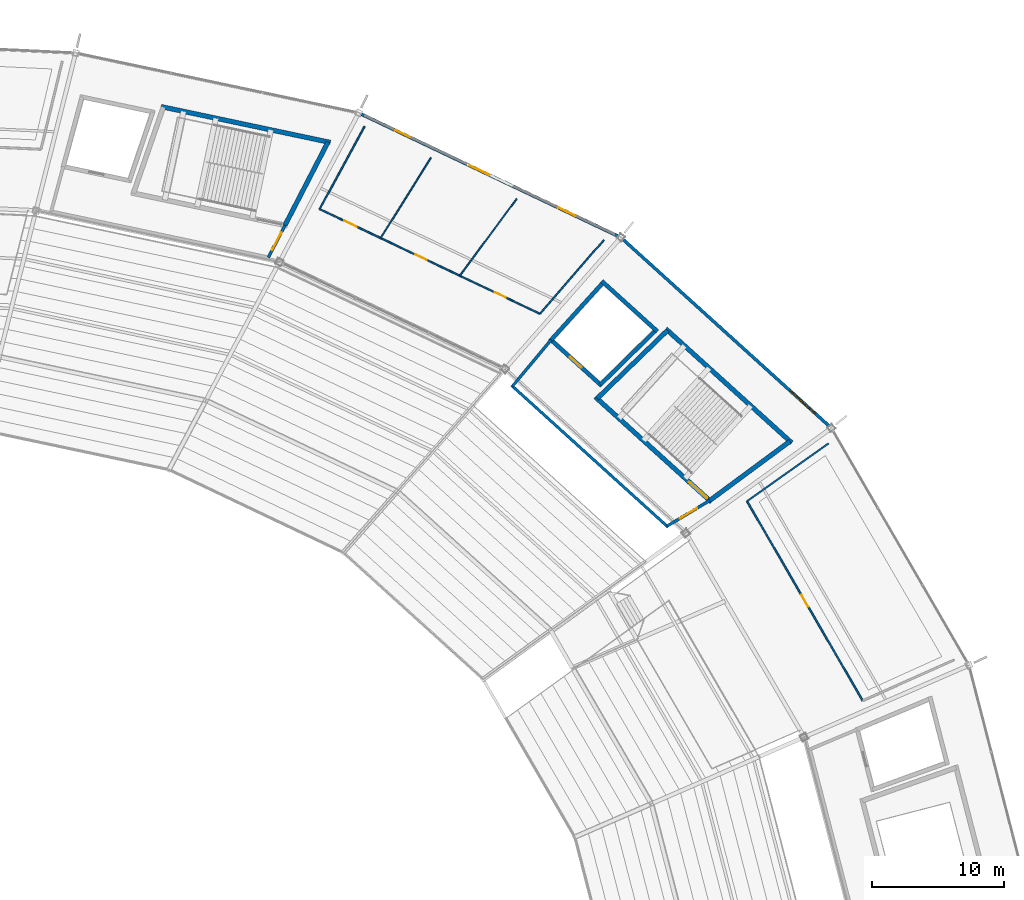
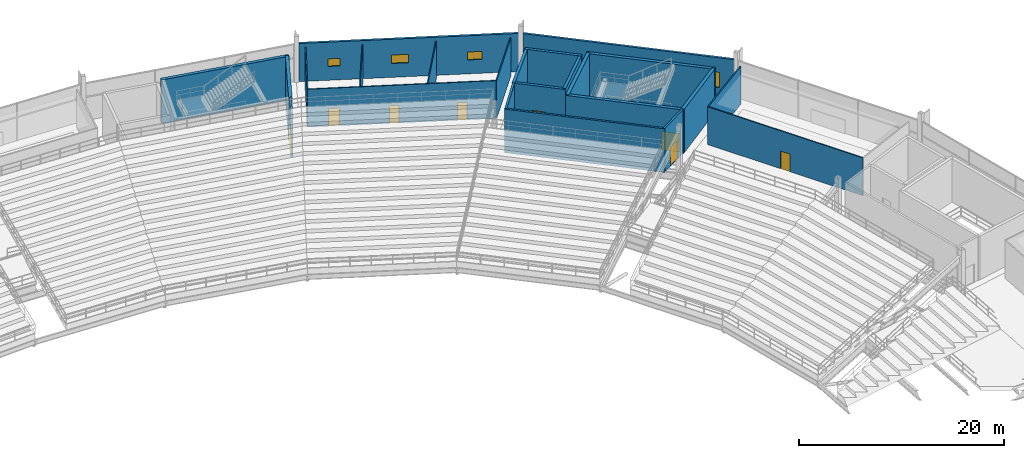
# One storey, part 132 of 186: 23 walls, 8 doors, 4 windows, 12 openings.
"""IFC4 building model written with IfcOpenShell, lengths in metres."""

from ifc_helpers import new_model, si_unit, direction, frame, frame_2d, origin, place, context, subcontext, project, spatial, rectangle, extrude, material, layer, layer_set, type_object, element, fill, save


model = new_model("IFC4")

# Units and contexts
model_context = context("Model", 3, precision=1e-05, world=origin(), true_north=direction((0.0, 1.0)))
body_context = subcontext(model_context, "Body", "Model", "MODEL_VIEW")
ifc_project = project(units=[si_unit("LENGTHUNIT", "METRE"), si_unit("AREAUNIT", "SQUARE_METRE"), si_unit("VOLUMEUNIT", "CUBIC_METRE"), si_unit("PLANEANGLEUNIT", "RADIAN"), si_unit("MASSUNIT", "GRAM", prefix="KILO")], contexts=[model_context])

# Site, building, storey
site_placement = place(None, origin())
site = spatial("IfcSite", under=ifc_project, at=site_placement, CompositionType="ELEMENT")
building_placement = place(site_placement, origin())
building = spatial("IfcBuilding", under=site, at=building_placement, Name="Kazemori Nagisa Stadium", CompositionType="ELEMENT")
storey_placement = place(building_placement, frame((0.0, 0.0, 20.39990234375)))
storey = spatial("IfcBuildingStorey", under=building, at=storey_placement, Name="L04", CompositionType="ELEMENT", Elevation=20.39990234375)

# Wall, opening, door
ifc_material_1 = material(Name="Concrete C40/50 (Fc42)", Category="concrete")
ifc_layer_1 = layer(ifc_material_1, 0.35009765625, Name="Concrete C40/50 (Fc42)", Category="concrete")
ifc_layer_set_1 = layer_set([ifc_layer_1], Name="Concrete C40/50 (Fc42)")
wall_type_1 = type_object("IfcWallType", Name="Wall_W-CORE-350", PredefinedType="SHEAR", material=ifc_layer_set_1)
wall_1_placement = place(storey_placement, frame((192.438720703125, 153.072021484375, 0.0), z_axis=(0.0, 0.0, 1.0), x_axis=(-0.741358227035, 0.671109513572, 0.0)))
wall_1 = element("IfcWall", 1, at=wall_1_placement, inside=storey, type_object=wall_type_1, Name="Core stair front shear wall ST01 L04", PredefinedType="SHEAR", context=body_context, shape_type="SweptSolid", body=[
    extrude(rectangle(XDim=11.82666015625, YDim=0.35009765625, at=frame_2d((5.913330078125, 0.0))), origin(), (0.0, 0.0, 1.0), 5.18017578125),
])
opening_1_placement = place(wall_1_placement, frame((0.47509765625, 0.0, 0.0)))
opening_1 = element("IfcOpeningElement", 2, at=opening_1_placement, cuts=wall_1, Name="Opening D-ST-1800", PredefinedType="OPENING", context=body_context, shape_type="SweptSolid", body=[
    extrude(rectangle(XDim=1.800048828125, YDim=2.199951171875, at=frame_2d((0.89990234375, 1.10009765625))), frame((0.0, 0.18505859375, 0.0), z_axis=(0.0, -1.0, 0.0), x_axis=(1.0, 0.0, 0.0)), (0.0, 0.0, 1.0), 0.3701171875),
])
ifc_material_2 = material(Name="Galvanised steel sheet", Category="steel")
door_type_1 = type_object("IfcDoorType", Name="Door_D-ST-1800", OperationType="NOTDEFINED", PredefinedType="DOOR", material=ifc_material_2)
door_1_placement = place(opening_1_placement, frame((1.800048828125, 0.0, 0.0), z_axis=(0.0, 0.0, 1.0), x_axis=(-1.0, 0.0, 0.0)))
door_1 = element("IfcDoor", 3, at=door_1_placement, inside=storey, type_object=door_type_1, Name="Exit stair fire door ST01-L04", OperationType="SINGLE_SWING_RIGHT", OverallHeight=2.199951171875, OverallWidth=1.800048828125, PredefinedType="DOOR", context=body_context, shape_type="SweptSolid", body=[
    extrude(rectangle(XDim=1.800048828125, YDim=2.199951171875, at=frame_2d((0.89990234375, 1.10009765625))), frame((0.0, 0.02490234375, 0.0), z_axis=(0.0, -1.0, 0.0), x_axis=(1.0, 0.0, 0.0)), (0.0, 0.0, 1.0), 0.050048828125),
])
fill(opening_1, door_1)

# Walls
wall_2_placement = place(storey_placement, frame((198.499267578125, 157.548095703125, 0.0), z_axis=(0.0, 0.0, 1.0), x_axis=(-0.741351373721, 0.671117084183, 0.0)))
element("IfcWall", 4, at=wall_2_placement, inside=storey, type_object=wall_type_1, Name="Core stair rear shear wall ST01 L04", PredefinedType="SHEAR", context=body_context, shape_type="SweptSolid", body=[
    extrude(rectangle(XDim=12.830322265625, YDim=0.35009765625, at=frame_2d((6.4150390625, 0.0))), origin(), (0.0, 0.0, 1.0), 5.18017578125),
])
wall_3_placement = place(storey_placement, frame((192.308837890625, 153.189453125, 0.0), z_axis=(0.0, 0.0, 1.0), x_axis=(0.804395625347, 0.594093997548, 0.0)))
element("IfcWall", 5, at=wall_3_placement, inside=storey, type_object=wall_type_1, Name="Core stair left shear wall ST01 L04", PredefinedType="SHEAR", context=body_context, shape_type="SweptSolid", body=[
    extrude(rectangle(XDim=7.5341796875, YDim=0.35009765625, at=frame_2d((3.76708984375, 0.0))), origin(), (0.0, 0.0, 1.0), 5.18017578125),
])
wall_4_placement = place(storey_placement, frame((183.800537109375, 160.8916015625, 0.0), z_axis=(0.0, 0.0, 1.0), x_axis=(0.718297398554, 0.69573619083, 0.0)))
element("IfcWall", 6, at=wall_4_placement, inside=storey, type_object=wall_type_1, Name="Core stair right shear wall ST01 L04", PredefinedType="SHEAR", context=body_context, shape_type="SweptSolid", body=[
    extrude(rectangle(XDim=7.40185546875, YDim=0.35009765625, at=frame_2d((3.700927734375, 0.0))), origin(), (0.0, 0.0, 1.0), 5.18017578125),
])
wall_5_placement = place(storey_placement, frame((163.655029296875, 180.2333984375, 0.0), z_axis=(0.0, 0.0, 1.0), x_axis=(-0.978345119536, 0.206980257705, 0.0)))
element("IfcWall", 7, at=wall_5_placement, inside=storey, type_object=wall_type_1, Name="Core stair rear shear wall ST11 L04", PredefinedType="SHEAR", context=body_context, shape_type="SweptSolid", body=[
    extrude(rectangle(XDim=13.06689453125, YDim=0.35009765625, at=frame_2d((6.533447265625, 0.0))), origin(), (0.0, 0.0, 1.0), 5.18017578125),
])
wall_6_placement = place(storey_placement, frame((160.228515625, 173.975830078125, 0.0), z_axis=(0.0, 0.0, 1.0), x_axis=(0.459409796564, 0.888224430435, 0.0)))
element("IfcWall", 8, at=wall_6_placement, inside=storey, type_object=wall_type_1, Name="Core stair left shear wall ST11 L04", PredefinedType="SHEAR", context=body_context, shape_type="SweptSolid", body=[
    extrude(rectangle(XDim=7.0859375, YDim=0.35009765625, at=frame_2d((3.54296875, 0.0))), origin(), (0.0, 0.0, 1.0), 5.18017578125),
])

# Wall, opening, window
ifc_material_3 = material(Name="Steel S355 (SN490B)", Category="steel")
ifc_layer_2 = layer(ifc_material_3, 0.239990234375, Name="Steel S355 (SN490B)", Category="steel")
ifc_layer_set_2 = layer_set([ifc_layer_2], Name="Steel S355 (SN490B)")
wall_type_2 = type_object("IfcWallType", Name="Wall_W-EXT-240", PredefinedType="SOLIDWALL", material=ifc_layer_set_2)
wall_7_placement = place(storey_placement, frame((201.332275390625, 158.815185546875, 0.0), z_axis=(0.0, 0.0, 1.0), x_axis=(-0.741349049196, 0.671119651967, 0.0)))
wall_7 = element("IfcWall", 9, at=wall_7_placement, inside=storey, type_object=wall_type_2, Name="Exterior facade wall L04-04", PredefinedType="SOLIDWALL", context=body_context, shape_type="SweptSolid", body=[
    extrude(rectangle(XDim=21.00390625, YDim=0.239990234375, at=frame_2d((10.501953125, 0.0))), origin(), (0.0, 0.0, 1.0), 4.530029296875),
])
opening_2_placement = place(wall_7_placement, frame((1.39990234375, 0.0, 1.0)))
opening_2 = element("IfcOpeningElement", 10, at=opening_2_placement, cuts=wall_7, Name="Opening WIN-L04-2600", PredefinedType="OPENING", context=body_context, shape_type="SweptSolid", body=[
    extrude(rectangle(XDim=2.60009765625, YDim=1.800048828125, at=frame_2d((1.300048828125, 0.89990234375))), frame((0.0, 0.1298828125, 0.0), z_axis=(0.0, -1.0, 0.0), x_axis=(1.0, 0.0, 0.0)), (0.0, 0.0, 1.0), 0.260009765625),
])
ifc_material_4 = material(Name="Low-e laminated double glazing", Category="glass")
window_type_1 = type_object("IfcWindowType", Name="Window_WIN-L04-2600", PartitioningType="SINGLE_PANEL", PredefinedType="WINDOW", material=ifc_material_4)
window_1_placement = place(opening_2_placement, origin())
window_1 = element("IfcWindow", 11, at=window_1_placement, inside=storey, type_object=window_type_1, Name="Core lobby window L04-04", OverallHeight=1.800048828125, OverallWidth=2.60009765625, PartitioningType="SINGLE_PANEL", PredefinedType="WINDOW", context=body_context, shape_type="SweptSolid", body=[
    extrude(rectangle(XDim=2.60009765625, YDim=1.800048828125, at=frame_2d((1.300048828125, 0.89990234375))), frame((0.0, 0.030029296875, 0.0), z_axis=(0.0, -1.0, 0.0), x_axis=(1.0, 0.0, 0.0)), (0.0, 0.0, 1.0), 0.06005859375),
])
fill(opening_2, window_1)

# Wall, openings, windows
wall_8_placement = place(storey_placement, frame((185.399169921875, 173.1533203125, 0.0), z_axis=(0.0, 0.0, 1.0), x_axis=(-0.90321305417, 0.42919247288, 0.0)))
wall_8 = element("IfcWall", 12, at=wall_8_placement, inside=storey, type_object=wall_type_2, Name="Exterior facade wall L04-05", PredefinedType="SOLIDWALL", context=body_context, shape_type="SweptSolid", body=[
    extrude(rectangle(XDim=21.47412109375, YDim=0.239990234375, at=frame_2d((10.737060546875, 0.0))), origin(), (0.0, 0.0, 1.0), 4.530029296875),
])
opening_3_placement = place(wall_8_placement, frame((3.570068359375, 0.0, 1.64990234375)))
opening_3 = element("IfcOpeningElement", 13, at=opening_3_placement, cuts=wall_8, Name="Opening WIN-WC-1450", PredefinedType="OPENING", context=body_context, shape_type="SweptSolid", body=[
    extrude(rectangle(XDim=1.449951171875, YDim=0.949951171875, at=frame_2d((0.72509765625, 0.47509765625))), frame((0.0, 0.1298828125, 0.0), z_axis=(0.0, -1.0, 0.0), x_axis=(1.0, 0.0, 0.0)), (0.0, 0.0, 1.0), 0.260009765625),
])
opening_4_placement = place(wall_8_placement, frame((10.77099609375, 0.0, 1.64990234375)))
opening_4 = element("IfcOpeningElement", 14, at=opening_4_placement, cuts=wall_8, Name="Opening WIN-WC-1650", PredefinedType="OPENING", context=body_context, shape_type="SweptSolid", body=[
    extrude(rectangle(XDim=1.64990234375, YDim=1.0, at=frame_2d((0.824951171875, 0.5))), frame((0.0, 0.1298828125, 0.0), z_axis=(0.0, -1.0, 0.0), x_axis=(1.0, 0.0, 0.0)), (0.0, 0.0, 1.0), 0.260009765625),
])
opening_5_placement = place(wall_8_placement, frame((17.43798828125, 0.0, 1.64990234375)))
opening_5 = element("IfcOpeningElement", 15, at=opening_5_placement, cuts=wall_8, Name="Opening WIN-WC-1200", PredefinedType="OPENING", context=body_context, shape_type="SweptSolid", body=[
    extrude(rectangle(XDim=1.199951171875, YDim=0.89990234375, at=frame_2d((0.60009765625, 0.449951171875))), frame((0.0, 0.1298828125, 0.0), z_axis=(0.0, -1.0, 0.0), x_axis=(1.0, 0.0, 0.0)), (0.0, 0.0, 1.0), 0.260009765625),
])
window_type_2 = type_object("IfcWindowType", Name="Window_WIN-WC-1200", PartitioningType="SINGLE_PANEL", PredefinedType="WINDOW", material=ifc_material_4)
window_2_placement = place(opening_5_placement, origin())
window_2 = element("IfcWindow", 16, at=window_2_placement, inside=storey, type_object=window_type_2, Name="Sanitary clerestory window L04-05-3", OverallHeight=0.89990234375, OverallWidth=1.199951171875, PartitioningType="SINGLE_PANEL", PredefinedType="WINDOW", context=body_context, shape_type="SweptSolid", body=[
    extrude(rectangle(XDim=1.199951171875, YDim=0.89990234375, at=frame_2d((0.60009765625, 0.449951171875))), frame((0.0, 0.030029296875, 0.0), z_axis=(0.0, -1.0, 0.0), x_axis=(1.0, 0.0, 0.0)), (0.0, 0.0, 1.0), 0.06005859375),
])
fill(opening_5, window_2)
window_type_3 = type_object("IfcWindowType", Name="Window_WIN-WC-1450", PartitioningType="SINGLE_PANEL", PredefinedType="WINDOW", material=ifc_material_4)
window_3_placement = place(opening_3_placement, origin())
window_3 = element("IfcWindow", 17, at=window_3_placement, inside=storey, type_object=window_type_3, Name="Sanitary clerestory window L04-05-1", OverallHeight=0.949951171875, OverallWidth=1.449951171875, PartitioningType="SINGLE_PANEL", PredefinedType="WINDOW", context=body_context, shape_type="SweptSolid", body=[
    extrude(rectangle(XDim=1.449951171875, YDim=0.949951171875, at=frame_2d((0.72509765625, 0.47509765625))), frame((0.0, 0.030029296875, 0.0), z_axis=(0.0, -1.0, 0.0), x_axis=(1.0, 0.0, 0.0)), (0.0, 0.0, 1.0), 0.06005859375),
])
fill(opening_3, window_3)
window_type_4 = type_object("IfcWindowType", Name="Window_WIN-WC-1650", PartitioningType="SINGLE_PANEL", PredefinedType="WINDOW", material=ifc_material_4)
window_4_placement = place(opening_4_placement, origin())
window_4 = element("IfcWindow", 18, at=window_4_placement, inside=storey, type_object=window_type_4, Name="Sanitary clerestory window L04-05-2", OverallHeight=1.0, OverallWidth=1.64990234375, PartitioningType="SINGLE_PANEL", PredefinedType="WINDOW", context=body_context, shape_type="SweptSolid", body=[
    extrude(rectangle(XDim=1.64990234375, YDim=1.0, at=frame_2d((0.824951171875, 0.5))), frame((0.0, 0.030029296875, 0.0), z_axis=(0.0, -1.0, 0.0), x_axis=(1.0, 0.0, 0.0)), (0.0, 0.0, 1.0), 0.06005859375),
])
fill(opening_4, window_4)

# Wall
ifc_material_5 = material(Name="Concrete C36/45 (Fc36)", Category="concrete")
ifc_layer_3 = layer(ifc_material_5, 0.219970703125, Name="Concrete C36/45 (Fc36)", Category="concrete")
ifc_layer_set_3 = layer_set([ifc_layer_3], Name="Concrete C36/45 (Fc36)")
wall_type_3 = type_object("IfcWallType", Name="Wall_W-LOBBY-220", PredefinedType="SOLIDWALL", material=ifc_layer_set_3)
wall_9_placement = place(storey_placement, frame((189.166259765625, 151.1806640625, 0.0), z_axis=(0.0, 0.0, 1.0), x_axis=(-0.741351035574, 0.671117457717, 0.0)))
element("IfcWall", 19, at=wall_9_placement, inside=storey, type_object=wall_type_3, Name="Core lobby fire wall ST01 L04", PredefinedType="SOLIDWALL", context=body_context, shape_type="SweptSolid", body=[
    extrude(rectangle(XDim=15.96923828125, YDim=0.219970703125, at=frame_2d((7.984619140625, 0.0))), origin(), (0.0, 0.0, 1.0), 5.18017578125),
])

# Wall, opening, door
wall_10_placement = place(storey_placement, frame((189.084716796875, 151.25439453125, 0.0), z_axis=(0.0, 0.0, 1.0), x_axis=(0.857424171966, 0.514610327654, 0.0)))
wall_10 = element("IfcWall", 20, at=wall_10_placement, inside=storey, type_object=wall_type_3, Name="Core lobby left wall ST01 L04", PredefinedType="SOLIDWALL", context=body_context, shape_type="SweptSolid", body=[
    extrude(rectangle(XDim=3.76025390625, YDim=0.219970703125, at=frame_2d((1.880126953125, 0.0))), origin(), (0.0, 0.0, 1.0), 5.18017578125),
])
opening_6_placement = place(wall_10_placement, frame((1.1298828125, 0.0, 0.0)))
opening_6 = element("IfcOpeningElement", 21, at=opening_6_placement, cuts=wall_10, Name="Opening D-FFL-1500", PredefinedType="OPENING", context=body_context, shape_type="SweptSolid", body=[
    extrude(rectangle(XDim=1.5, YDim=2.199951171875, at=frame_2d((0.75, 1.10009765625))), frame((0.0, 0.119873046875, 0.0), z_axis=(0.0, -1.0, 0.0), x_axis=(1.0, 0.0, 0.0)), (0.0, 0.0, 1.0), 0.239990234375),
])
door_type_2 = type_object("IfcDoorType", Name="Door_D-FFL-1500", OperationType="NOTDEFINED", PredefinedType="DOOR", material=ifc_material_2)
door_2_placement = place(opening_6_placement, frame((1.5, 0.0, 0.0), z_axis=(0.0, 0.0, 1.0), x_axis=(-1.0, 0.0, 0.0)))
door_2 = element("IfcDoor", 22, at=door_2_placement, inside=storey, type_object=door_type_2, Name="Protected lobby fire door ST01-L04", OperationType="DOUBLE_DOOR_SINGLE_SWING", OverallHeight=2.199951171875, OverallWidth=1.5, PredefinedType="DOOR", context=body_context, shape_type="SweptSolid", body=[
    extrude(rectangle(XDim=1.5, YDim=2.199951171875, at=frame_2d((0.75, 1.10009765625))), frame((0.0, 0.02490234375, 0.0), z_axis=(0.0, -1.0, 0.0), x_axis=(1.0, 0.0, 0.0)), (0.0, 0.0, 1.0), 0.050048828125),
])
fill(opening_6, door_2)

# Wall
wall_11_placement = place(storey_placement, frame((177.408935546875, 161.823974609375, 0.0), z_axis=(0.0, 0.0, 1.0), x_axis=(0.640759627034, 0.767741558315, 0.0)))
element("IfcWall", 23, at=wall_11_placement, inside=storey, type_object=wall_type_3, Name="Core lobby right wall ST01 L04", PredefinedType="SOLIDWALL", context=body_context, shape_type="SweptSolid", body=[
    extrude(rectangle(XDim=4.549072265625, YDim=0.219970703125, at=frame_2d((2.2744140625, 0.0))), origin(), (0.0, 0.0, 1.0), 5.18017578125),
])

# Wall, opening, door
wall_12_placement = place(storey_placement, frame((158.976318359375, 171.55517578125, 0.0), z_axis=(0.0, 0.0, 1.0), x_axis=(0.459461910618, 0.888197473928, 0.0)))
wall_12 = element("IfcWall", 24, at=wall_12_placement, inside=storey, type_object=wall_type_3, Name="Core lobby left wall ST11 L04", PredefinedType="SOLIDWALL", context=body_context, shape_type="SweptSolid", body=[
    extrude(rectangle(XDim=2.725341796875, YDim=0.219970703125, at=frame_2d((1.36279296875, 0.0))), origin(), (0.0, 0.0, 1.0), 5.18017578125),
])
opening_7_placement = place(wall_12_placement, frame((0.613037109375, 0.0, 0.0)))
opening_7 = element("IfcOpeningElement", 25, at=opening_7_placement, cuts=wall_12, Name="Opening D-FFL-1500", PredefinedType="OPENING", context=body_context, shape_type="SweptSolid", body=[
    extrude(rectangle(XDim=1.5, YDim=2.199951171875, at=frame_2d((0.75, 1.10009765625))), frame((0.0, 0.119873046875, 0.0), z_axis=(0.0, -1.0, 0.0), x_axis=(1.0, 0.0, 0.0)), (0.0, 0.0, 1.0), 0.239990234375),
])
door_3_placement = place(opening_7_placement, frame((1.5, 0.0, 0.0), z_axis=(0.0, 0.0, 1.0), x_axis=(-1.0, 0.0, 0.0)))
door_3 = element("IfcDoor", 26, at=door_3_placement, inside=storey, type_object=door_type_2, Name="Protected lobby fire door ST11-L04", OperationType="DOUBLE_DOOR_SINGLE_SWING", OverallHeight=2.199951171875, OverallWidth=1.5, PredefinedType="DOOR", context=body_context, shape_type="SweptSolid", body=[
    extrude(rectangle(XDim=1.5, YDim=2.199951171875, at=frame_2d((0.75, 1.10009765625))), frame((0.0, 0.02490234375, 0.0), z_axis=(0.0, -1.0, 0.0), x_axis=(1.0, 0.0, 0.0)), (0.0, 0.0, 1.0), 0.050048828125),
])
fill(opening_7, door_3)

# Walls
ifc_material_6 = material(Name="High-pressure phenolic compact laminate", Category="gypsum")
ifc_layer_4 = layer(ifc_material_6, 0.10009765625, Name="High-pressure phenolic compact laminate", Category="gypsum")
ifc_layer_set_4 = layer_set([ifc_layer_4], Name="High-pressure phenolic compact laminate")
wall_type_4 = type_object("IfcWallType", Name="Wall_W-PART-100", PredefinedType="PARTITIONING", material=ifc_layer_set_4)
wall_13_placement = place(storey_placement, frame((173.4326171875, 170.17041015625, 0.0), z_axis=(0.0, 0.0, 1.0), x_axis=(0.59474577564, 0.803913840134, 0.0)))
element("IfcWall", 27, at=wall_13_placement, inside=storey, type_object=wall_type_4, Name="Sanitary divider partition L04-B05-1", PredefinedType="PARTITIONING", context=body_context, shape_type="SweptSolid", body=[
    extrude(rectangle(XDim=7.236572265625, YDim=0.10009765625, at=frame_2d((3.6181640625, 0.0))), origin(), (0.0, 0.0, 1.0), 4.5),
])
wall_14_placement = place(storey_placement, frame((167.45751953125, 173.009765625, 0.0), z_axis=(0.0, 0.0, 1.0), x_axis=(0.530658716889, 0.847585586351, 0.0)))
element("IfcWall", 28, at=wall_14_placement, inside=storey, type_object=wall_type_4, Name="Sanitary divider partition L04-B05-2", PredefinedType="PARTITIONING", context=body_context, shape_type="SweptSolid", body=[
    extrude(rectangle(XDim=7.1494140625, YDim=0.10009765625, at=frame_2d((3.57470703125, 0.0))), origin(), (0.0, 0.0, 1.0), 4.5),
])

# Wall, openings, doors
ifc_material_7 = material(Name="Moisture-resistant gypsum board", Category="gypsum")
ifc_layer_5 = layer(ifc_material_7, 0.114990234375, Name="Moisture-resistant gypsum board", Category="gypsum")
ifc_layer_set_5 = layer_set([ifc_layer_5], Name="Moisture-resistant gypsum board")
wall_type_5 = type_object("IfcWallType", Name="Wall_W-PART-115", PredefinedType="PARTITIONING", material=ifc_layer_set_5)
wall_15_placement = place(storey_placement, frame((179.490966796875, 167.291748046875, 0.0), z_axis=(0.0, 0.0, 1.0), x_axis=(-0.90321677741, 0.429184637429, 0.0)))
wall_15 = element("IfcWall", 29, at=wall_15_placement, inside=storey, type_object=wall_type_5, Name="Sanitary block corridor partition L04-B05", PredefinedType="PARTITIONING", context=body_context, shape_type="SweptSolid", body=[
    extrude(rectangle(XDim=18.42724609375, YDim=0.114990234375, at=frame_2d((9.213623046875, 0.0))), origin(), (0.0, 0.0, 1.0), 4.5),
])
opening_8_placement = place(wall_15_placement, frame((2.866943359375, 0.0, 0.0)))
opening_8 = element("IfcOpeningElement", 30, at=opening_8_placement, cuts=wall_15, Name="Opening D-WC-900", PredefinedType="OPENING", context=body_context, shape_type="SweptSolid", body=[
    extrude(rectangle(XDim=0.89990234375, YDim=2.10009765625, at=frame_2d((0.449951171875, 1.050048828125))), frame((0.0, 0.0673828125, 0.0), z_axis=(0.0, -1.0, 0.0), x_axis=(1.0, 0.0, 0.0)), (0.0, 0.0, 1.0), 0.135009765625),
])
opening_9_placement = place(wall_15_placement, frame((9.5009765625, 0.0, 0.0)))
opening_9 = element("IfcOpeningElement", 31, at=opening_9_placement, cuts=wall_15, Name="Opening D-WC-900", PredefinedType="OPENING", context=body_context, shape_type="SweptSolid", body=[
    extrude(rectangle(XDim=0.89990234375, YDim=2.10009765625, at=frame_2d((0.449951171875, 1.050048828125))), frame((0.0, 0.0673828125, 0.0), z_axis=(0.0, -1.0, 0.0), x_axis=(1.0, 0.0, 0.0)), (0.0, 0.0, 1.0), 0.135009765625),
])
opening_10_placement = place(wall_15_placement, frame((15.322021484375, 0.0, 0.0)))
opening_10 = element("IfcOpeningElement", 32, at=opening_10_placement, cuts=wall_15, Name="Opening D-AWC-1050", PredefinedType="OPENING", context=body_context, shape_type="SweptSolid", body=[
    extrude(rectangle(XDim=1.050048828125, YDim=2.10009765625, at=frame_2d((0.52490234375, 1.050048828125))), frame((0.0, 0.0673828125, 0.0), z_axis=(0.0, -1.0, 0.0), x_axis=(1.0, 0.0, 0.0)), (0.0, 0.0, 1.0), 0.135009765625),
])
ifc_material_8 = material(Name="High-pressure laminate on timber core", Category="wood")
door_type_3 = type_object("IfcDoorType", Name="Door_D-AWC-1050", OperationType="NOTDEFINED", PredefinedType="DOOR", material=ifc_material_8)
door_4_placement = place(opening_10_placement, origin())
door_4 = element("IfcDoor", 33, at=door_4_placement, inside=storey, type_object=door_type_3, Name="AWC entrance door L04-B05", OperationType="SINGLE_SWING_LEFT", OverallHeight=2.10009765625, OverallWidth=1.050048828125, PredefinedType="DOOR", context=body_context, shape_type="SweptSolid", body=[
    extrude(rectangle(XDim=1.050048828125, YDim=2.10009765625, at=frame_2d((0.52490234375, 1.050048828125))), frame((0.0, 0.02490234375, 0.0), z_axis=(0.0, -1.0, 0.0), x_axis=(1.0, 0.0, 0.0)), (0.0, 0.0, 1.0), 0.050048828125),
])
fill(opening_10, door_4)
door_type_4 = type_object("IfcDoorType", Name="Door_D-WC-900", OperationType="NOTDEFINED", PredefinedType="DOOR", material=ifc_material_8)
door_5_placement = place(opening_8_placement, origin())
door_5 = element("IfcDoor", 34, at=door_5_placement, inside=storey, type_object=door_type_4, Name="MWC entrance door L04-B05", OperationType="SINGLE_SWING_LEFT", OverallHeight=2.10009765625, OverallWidth=0.89990234375, PredefinedType="DOOR", context=body_context, shape_type="SweptSolid", body=[
    extrude(rectangle(XDim=0.89990234375, YDim=2.10009765625, at=frame_2d((0.449951171875, 1.050048828125))), frame((0.0, 0.02490234375, 0.0), z_axis=(0.0, -1.0, 0.0), x_axis=(1.0, 0.0, 0.0)), (0.0, 0.0, 1.0), 0.050048828125),
])
fill(opening_8, door_5)
door_6_placement = place(opening_9_placement, origin())
door_6 = element("IfcDoor", 35, at=door_6_placement, inside=storey, type_object=door_type_4, Name="FWC entrance door L04-B05", OperationType="SINGLE_SWING_RIGHT", OverallHeight=2.10009765625, OverallWidth=0.89990234375, PredefinedType="DOOR", context=body_context, shape_type="SweptSolid", body=[
    extrude(rectangle(XDim=0.89990234375, YDim=2.10009765625, at=frame_2d((0.449951171875, 1.050048828125))), frame((0.0, 0.02490234375, 0.0), z_axis=(0.0, -1.0, 0.0), x_axis=(1.0, 0.0, 0.0)), (0.0, 0.0, 1.0), 0.050048828125),
])
fill(opening_9, door_6)

# Walls
wall_16_placement = place(storey_placement, frame((179.490966796875, 167.291748046875, 0.0), z_axis=(0.0, 0.0, 1.0), x_axis=(0.654288201841, 0.7562452968, 0.0)))
element("IfcWall", 36, at=wall_16_placement, inside=storey, type_object=wall_type_5, Name="Sanitary block L partition L04-B05", PredefinedType="PARTITIONING", context=body_context, shape_type="SweptSolid", body=[
    extrude(rectangle(XDim=7.367919921875, YDim=0.114990234375, at=frame_2d((3.68408203125, 0.0))), origin(), (0.0, 0.0, 1.0), 4.5),
])
wall_17_placement = place(storey_placement, frame((162.84716796875, 175.200439453125, 0.0), z_axis=(0.0, 0.0, 1.0), x_axis=(0.47812325427, 0.878292749444, 0.0)))
element("IfcWall", 37, at=wall_17_placement, inside=storey, type_object=wall_type_5, Name="Sanitary block R partition L04-B05", PredefinedType="PARTITIONING", context=body_context, shape_type="SweptSolid", body=[
    extrude(rectangle(XDim=7.112548828125, YDim=0.114990234375, at=frame_2d((3.55615234375, 0.0))), origin(), (0.0, 0.0, 1.0), 4.5),
])

# Wall, opening, door
ifc_material_9 = material(Name="Gypsum plasterboard", Category="gypsum")
ifc_layer_6 = layer(ifc_material_9, 0.125, Name="Gypsum plasterboard", Category="gypsum")
ifc_layer_set_6 = layer_set([ifc_layer_6], Name="Gypsum plasterboard")
wall_type_6 = type_object("IfcWallType", Name="Wall_W-PART-125", PredefinedType="PARTITIONING", material=ifc_layer_set_6)
wall_18_placement = place(storey_placement, frame((203.861083984375, 138.072265625, 0.0), z_axis=(0.0, 0.0, 1.0), x_axis=(-0.501622425841, 0.865086667273, 0.0)))
wall_18 = element("IfcWall", 38, at=wall_18_placement, inside=storey, type_object=wall_type_6, Name="Room corridor partition L04-B03", PredefinedType="PARTITIONING", context=body_context, shape_type="SweptSolid", body=[
    extrude(rectangle(XDim=17.416748046875, YDim=0.125, at=frame_2d((8.70849609375, 0.0))), origin(), (0.0, 0.0, 1.0), 4.5),
])
opening_11_placement = place(wall_18_placement, frame((8.197998046875, 0.0, 0.0)))
opening_11 = element("IfcOpeningElement", 39, at=opening_11_placement, cuts=wall_18, Name="Opening D-STR-1020", PredefinedType="OPENING", context=body_context, shape_type="SweptSolid", body=[
    extrude(rectangle(XDim=1.02001953125, YDim=2.10009765625, at=frame_2d((0.510009765625, 1.050048828125))), frame((0.0, 0.072509765625, 0.0), z_axis=(0.0, -1.0, 0.0), x_axis=(1.0, 0.0, 0.0)), (0.0, 0.0, 1.0), 0.14501953125),
])
ifc_material_10 = material(Name="Powder-coated steel sheet", Category="steel")
door_type_5 = type_object("IfcDoorType", Name="Door_D-STR-1020", OperationType="NOTDEFINED", PredefinedType="DOOR", material=ifc_material_10)
door_7_placement = place(opening_11_placement, origin())
door_7 = element("IfcDoor", 40, at=door_7_placement, inside=storey, type_object=door_type_5, Name="Room entrance door D-STR-1020 L04-B03", OperationType="SINGLE_SWING_RIGHT", OverallHeight=2.10009765625, OverallWidth=1.02001953125, PredefinedType="DOOR", context=body_context, shape_type="SweptSolid", body=[
    extrude(rectangle(XDim=1.02001953125, YDim=2.10009765625, at=frame_2d((0.510009765625, 1.050048828125))), frame((0.0, 0.02490234375, 0.0), z_axis=(0.0, -1.0, 0.0), x_axis=(1.0, 0.0, 0.0)), (0.0, 0.0, 1.0), 0.050048828125),
])
fill(opening_11, door_7)

# Wall
wall_19_placement = place(storey_placement, frame((195.12451171875, 153.13916015625, 0.0), z_axis=(0.0, 0.0, 1.0), x_axis=(0.815757317426, 0.578394328348, 0.0)))
element("IfcWall", 41, at=wall_19_placement, inside=storey, type_object=wall_type_6, Name="Room radial partition L04-B03-R", PredefinedType="PARTITIONING", context=body_context, shape_type="SweptSolid", body=[
    extrude(rectangle(XDim=7.54541015625, YDim=0.125, at=frame_2d((3.772705078125, 0.0))), origin(), (0.0, 0.0, 1.0), 4.5),
])

# Wall, opening, door
ifc_layer_7 = layer(ifc_material_1, 0.300048828125, Name="Concrete C40/50 (Fc42)", Category="concrete")
ifc_layer_set_7 = layer_set([ifc_layer_7], Name="Concrete C40/50 (Fc42)")
wall_type_7 = type_object("IfcWallType", Name="Wall_W-SHAFT-300", PredefinedType="SHEAR", material=ifc_layer_set_7)
wall_20_placement = place(storey_placement, frame((184.1630859375, 161.840576171875, 0.0), z_axis=(0.0, 0.0, 1.0), x_axis=(-0.741350155641, 0.671118429736, 0.0)))
wall_20 = element("IfcWall", 42, at=wall_20_placement, inside=storey, type_object=wall_type_7, Name="Lift shaft front wall FL1 L04", PredefinedType="SHEAR", context=body_context, shape_type="SweptSolid", body=[
    extrude(rectangle(XDim=5.3291015625, YDim=0.300048828125, at=frame_2d((2.66455078125, 0.0))), origin(), (0.0, 0.0, 1.0), 5.18017578125),
])
opening_12_placement = place(wall_20_placement, frame((2.06494140625, 0.0, 0.0)))
opening_12 = element("IfcOpeningElement", 43, at=opening_12_placement, cuts=wall_20, Name="Opening LD-FF", PredefinedType="OPENING", context=body_context, shape_type="SweptSolid", body=[
    extrude(rectangle(XDim=1.199951171875, YDim=2.199951171875, at=frame_2d((0.60009765625, 1.10009765625))), frame((0.0, 0.159912109375, 0.0), z_axis=(0.0, -1.0, 0.0), x_axis=(1.0, 0.0, 0.0)), (0.0, 0.0, 1.0), 0.320068359375),
])
ifc_material_11 = material(Name="Stainless steel SUS304", Category="steel")
door_type_6 = type_object("IfcDoorType", Name="Door_LD-FF", OperationType="SLIDING_TO_LEFT", PredefinedType="DOOR", material=ifc_material_11)
door_8_placement = place(opening_12_placement, origin())
door_8 = element("IfcDoor", 44, at=door_8_placement, inside=storey, type_object=door_type_6, Name="Lift landing door FL1-L04", OperationType="SLIDING_TO_LEFT", OverallHeight=2.199951171875, OverallWidth=1.199951171875, PredefinedType="DOOR", context=body_context, shape_type="SweptSolid", body=[
    extrude(rectangle(XDim=1.199951171875, YDim=2.199951171875, at=frame_2d((0.60009765625, 1.10009765625))), frame((0.0, 0.02490234375, 0.0), z_axis=(0.0, -1.0, 0.0), x_axis=(1.0, 0.0, 0.0)), (0.0, 0.0, 1.0), 0.050048828125),
])
fill(opening_12, door_8)

# Walls
wall_21_placement = place(storey_placement, frame((188.359619140625, 165.960693359375, 0.0), z_axis=(0.0, 0.0, 1.0), x_axis=(-0.74134208775, 0.671127341815, 0.0)))
element("IfcWall", 45, at=wall_21_placement, inside=storey, type_object=wall_type_7, Name="Lift shaft B wall FL1 L04", PredefinedType="SHEAR", context=body_context, shape_type="SweptSolid", body=[
    extrude(rectangle(XDim=5.674560546875, YDim=0.300048828125, at=frame_2d((2.83740234375, 0.0))), origin(), (0.0, 0.0, 1.0), 5.18017578125),
])
wall_22_placement = place(storey_placement, frame((184.052001953125, 161.941162109375, 0.0), z_axis=(0.0, 0.0, 1.0), x_axis=(0.713553028001, 0.700601224828, 0.0)))
element("IfcWall", 46, at=wall_22_placement, inside=storey, type_object=wall_type_7, Name="Lift shaft L wall FL1 L04", PredefinedType="SHEAR", context=body_context, shape_type="SweptSolid", body=[
    extrude(rectangle(XDim=5.881103515625, YDim=0.300048828125, at=frame_2d((2.9404296875, 0.0))), origin(), (0.0, 0.0, 1.0), 5.18017578125),
])
wall_23_placement = place(storey_placement, frame((180.32373046875, 165.31640625, 0.0), z_axis=(0.0, 0.0, 1.0), x_axis=(0.67115829282, 0.741314067031, 0.0)))
element("IfcWall", 47, at=wall_23_placement, inside=storey, type_object=wall_type_7, Name="Lift shaft R wall FL1 L04", PredefinedType="SHEAR", context=body_context, shape_type="SweptSolid", body=[
    extrude(rectangle(XDim=5.87060546875, YDim=0.300048828125, at=frame_2d((2.935302734375, 0.0))), origin(), (0.0, 0.0, 1.0), 5.18017578125),
])

save(model, "model.ifc")
